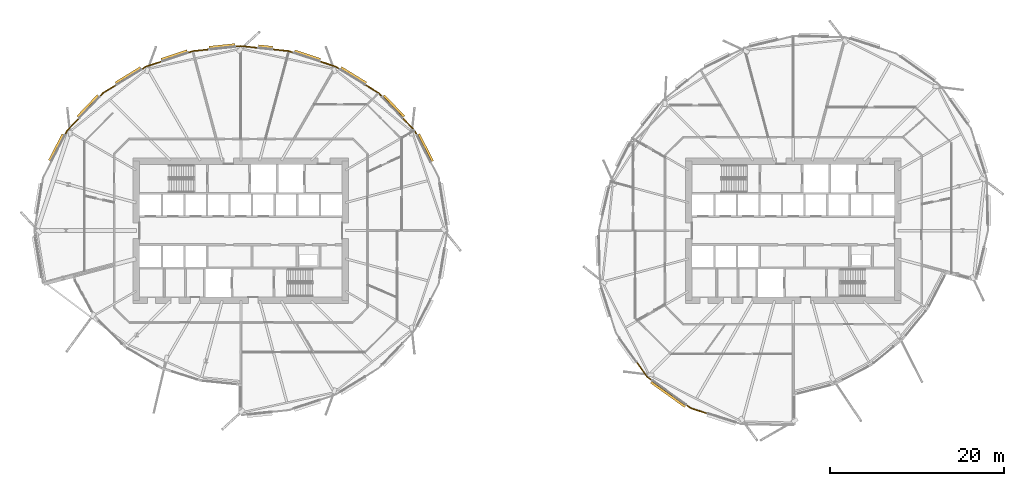
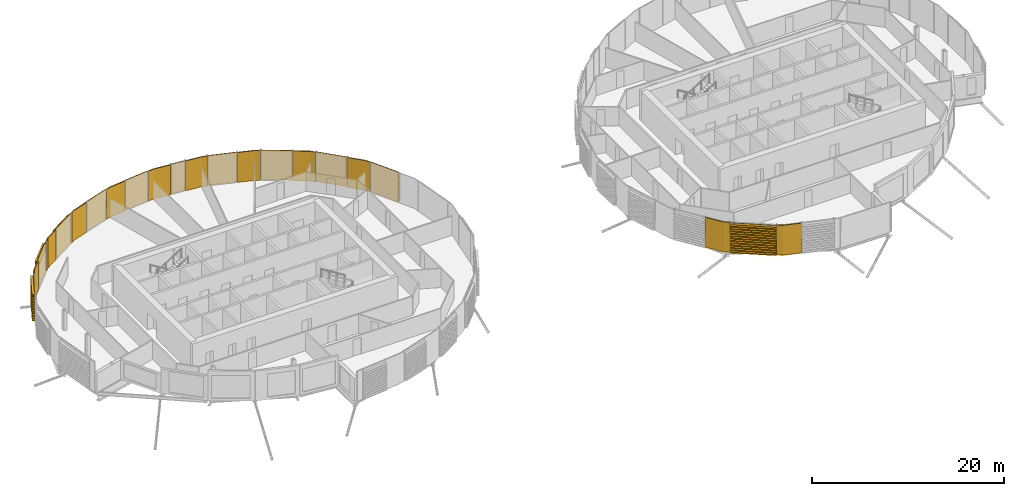
# One storey, part 39 of 42: 22 coverings.
"""IFC4 building model written with IfcOpenShell, lengths in metres."""

from ifc_helpers import new_model, si_unit, direction, frame, origin, place, context, subcontext, project, spatial, polyline, outline, extrude, material, layer, layer_set, material_profile, profile_set, type_object, element, save


model = new_model("IFC4")

# Units and contexts
model_context = context("Model", 3, precision=1e-05, world=origin(), true_north=direction((0.0, 1.0)))
body_context = subcontext(model_context, "Body", "Model", "MODEL_VIEW")
ifc_project = project(units=[si_unit("LENGTHUNIT", "METRE"), si_unit("AREAUNIT", "SQUARE_METRE"), si_unit("VOLUMEUNIT", "CUBIC_METRE"), si_unit("PLANEANGLEUNIT", "RADIAN"), si_unit("MASSUNIT", "GRAM", prefix="KILO")], contexts=[model_context])

# Site, building, storey
site_placement = place(None, origin())
site = spatial("IfcSite", under=ifc_project, at=site_placement, CompositionType="ELEMENT")
building_placement = place(site_placement, origin())
building = spatial("IfcBuilding", under=site, at=building_placement, Name="Rimbun Link Towers", CompositionType="ELEMENT")
storey_placement = place(building_placement, frame((0.0, 0.0, 85.39990234375)))
storey = spatial("IfcBuildingStorey", under=building, at=storey_placement, Name="L20", CompositionType="ELEMENT", Elevation=85.39990234375)

# Coverings
ifc_material_1 = material(Name="Terracotta", Category="masonry")
ifc_layer = layer(ifc_material_1, 0.1201171875)
ifc_layer_set = layer_set([ifc_layer], Name="LINK PIER terracotta cladding 120")
covering_type_1 = type_object("IfcCoveringType", Name="LINK PIER terracotta cladding 120", PredefinedType="CLADDING", material=ifc_layer_set)
covering_1_placement = place(storey_placement, origin())
element("IfcCovering", 1, at=covering_1_placement, inside=storey, type_object=covering_type_1, Name="LINK PIER cladding", PredefinedType="CLADDING", context=body_context, shape_type="SweptSolid", body=[
    extrude(outline(polyline([(-13.172119140625, 12.879150390625), (-11.84326171875, 11.4931640625), (-11.581298828125, 10.98681640625), (-11.474853515625, 11.0419921875), (-11.74462890625, 11.563720703125), (-13.08544921875, 12.962158203125), (-13.172119140625, 12.879150390625)])), origin(), (0.0, 0.0, 1.0), 3.800048828125),
])
covering_2_placement = place(storey_placement, origin())
element("IfcCovering", 2, at=covering_2_placement, inside=storey, type_object=covering_type_1, Name="LINK PIER cladding", PredefinedType="CLADDING", context=body_context, shape_type="SweptSolid", body=[
    extrude(outline(polyline([(-17.469970703125, 16.714599609375), (-15.96142578125, 15.78857421875), (-15.567138671875, 15.376953125), (-15.48046875, 15.460205078125), (-15.885498046875, 15.882568359375), (-17.406982421875, 16.81689453125), (-17.469970703125, 16.714599609375)])), origin(), (0.0, 0.0, 1.0), 3.800048828125),
])
covering_3_placement = place(storey_placement, origin())
element("IfcCovering", 3, at=covering_3_placement, inside=storey, type_object=covering_type_1, Name="LINK PIER cladding", PredefinedType="CLADDING", context=body_context, shape_type="SweptSolid", body=[
    extrude(outline(polyline([(-22.6630859375, 19.401611328125), (-20.88818359375, 18.8134765625), (-20.40234375, 18.51513671875), (-20.339599609375, 18.617431640625), (-20.837158203125, 18.9228515625), (-22.62548828125, 19.515625), (-22.6630859375, 19.401611328125)])), origin(), (0.0, 0.0, 1.0), 3.800048828125),
])
covering_4_placement = place(storey_placement, origin())
element("IfcCovering", 4, at=covering_4_placement, inside=storey, type_object=covering_type_1, Name="LINK PIER cladding", PredefinedType="CLADDING", context=body_context, shape_type="SweptSolid", body=[
    extrude(outline(polyline([(-28.093994140625, 20.781005859375), (-26.234130859375, 20.585205078125), (-25.693115234375, 20.40576171875), (-25.6552734375, 20.519775390625), (-26.208740234375, 20.703125), (-28.081298828125, 20.900390625), (-28.093994140625, 20.781005859375)])), origin(), (0.0, 0.0, 1.0), 3.800048828125),
])
covering_5_placement = place(storey_placement, origin())
element("IfcCovering", 5, at=covering_5_placement, inside=storey, type_object=covering_type_1, Name="LINK PIER cladding", PredefinedType="CLADDING", context=body_context, shape_type="SweptSolid", body=[
    extrude(outline(polyline([(-32.36669921875, 21.10107421875), (-31.75, 21.166015625), (-29.790771484375, 20.959716796875), (-29.7783203125, 21.0791015625), (-31.75, 21.28662109375), (-32.379150390625, 21.220458984375), (-32.36669921875, 21.10107421875)])), origin(), (0.0, 0.0, 1.0), 3.800048828125),
])
covering_6_placement = place(storey_placement, origin())
element("IfcCovering", 6, at=covering_6_placement, inside=storey, type_object=covering_type_1, Name="LINK PIER cladding", PredefinedType="CLADDING", context=body_context, shape_type="SweptSolid", body=[
    extrude(outline(polyline([(-37.806884765625, 20.40576171875), (-37.265869140625, 20.585205078125), (-35.406005859375, 20.781005859375), (-35.418701171875, 20.900390625), (-37.291259765625, 20.703125), (-37.8447265625, 20.519775390625), (-37.806884765625, 20.40576171875)])), origin(), (0.0, 0.0, 1.0), 3.800048828125),
])
covering_7_placement = place(storey_placement, origin())
element("IfcCovering", 7, at=covering_7_placement, inside=storey, type_object=covering_type_1, Name="LINK PIER cladding", PredefinedType="CLADDING", context=body_context, shape_type="SweptSolid", body=[
    extrude(outline(polyline([(-43.09765625, 18.51513671875), (-42.61181640625, 18.8134765625), (-40.8369140625, 19.401611328125), (-40.87451171875, 19.515625), (-42.662841796875, 18.9228515625), (-43.160400390625, 18.617431640625), (-43.09765625, 18.51513671875)])), origin(), (0.0, 0.0, 1.0), 3.800048828125),
])
covering_8_placement = place(storey_placement, origin())
element("IfcCovering", 8, at=covering_8_placement, inside=storey, type_object=covering_type_1, Name="LINK PIER cladding", PredefinedType="CLADDING", context=body_context, shape_type="SweptSolid", body=[
    extrude(outline(polyline([(-47.932861328125, 15.376953125), (-47.53857421875, 15.78857421875), (-46.030029296875, 16.714599609375), (-46.093017578125, 16.81689453125), (-47.614501953125, 15.882568359375), (-48.01953125, 15.460205078125), (-47.932861328125, 15.376953125)])), origin(), (0.0, 0.0, 1.0), 3.800048828125),
])
covering_9_placement = place(storey_placement, origin())
element("IfcCovering", 9, at=covering_9_placement, inside=storey, type_object=covering_type_1, Name="LINK PIER cladding", PredefinedType="CLADDING", context=body_context, shape_type="SweptSolid", body=[
    extrude(outline(polyline([(-51.918701171875, 10.98681640625), (-51.65673828125, 11.4931640625), (-50.327880859375, 12.879150390625), (-50.41455078125, 12.962158203125), (-51.75537109375, 11.563720703125), (-52.025146484375, 11.0419921875), (-51.918701171875, 10.98681640625)])), origin(), (0.0, 0.0, 1.0), 3.800048828125),
])
covering_10_placement = place(storey_placement, origin())
element("IfcCovering", 10, at=covering_10_placement, inside=storey, type_object=covering_type_1, Name="LINK PIER cladding", PredefinedType="CLADDING", context=body_context, shape_type="SweptSolid", body=[
    extrude(outline(polyline([(15.53173828125, -17.1533203125), (14.9873046875, -16.7626953125), (13.780517578125, -15.080810546875), (13.68310546875, -15.150634765625), (14.9013671875, -16.8486328125), (15.4619140625, -17.250732421875), (15.53173828125, -17.1533203125)])), origin(), (0.0, 0.0, 1.0), 3.800048828125),
])
covering_11_placement = place(storey_placement, origin())
element("IfcCovering", 11, at=covering_11_placement, inside=storey, type_object=covering_type_1, Name="LINK PIER cladding", PredefinedType="CLADDING", context=body_context, shape_type="SweptSolid", body=[
    extrude(outline(polyline([(21.874267578125, -20.954345703125), (19.996826171875, -20.357177734375), (19.4931640625, -19.995849609375), (19.423095703125, -20.09326171875), (19.9423828125, -20.4658203125), (21.837890625, -21.068603515625), (21.874267578125, -20.954345703125)])), origin(), (0.0, 0.0, 1.0), 3.800048828125),
])
ifc_material_2 = material(Name="Terracotta", Category="masonry")
ifc_material_profile = material_profile(ifc_material_2, outline(polyline([(0.123046875, 0.0), (0.1630859375, 0.0), (0.1630859375, 0.10009765625), (0.423095703125, 0.10009765625), (0.423095703125, 0.219970703125), (0.1630859375, 0.219970703125), (0.1630859375, 0.39990234375), (0.423095703125, 0.39990234375), (0.423095703125, 0.52001953125), (0.1630859375, 0.52001953125), (0.1630859375, 0.699951171875), (0.423095703125, 0.699951171875), (0.423095703125, 0.820068359375), (0.1630859375, 0.820068359375), (0.1630859375, 1.0), (0.423095703125, 1.0), (0.423095703125, 1.1201171875), (0.1630859375, 1.1201171875), (0.1630859375, 1.300048828125), (0.423095703125, 1.300048828125), (0.423095703125, 1.419921875), (0.1630859375, 1.419921875), (0.1630859375, 1.60009765625), (0.423095703125, 1.60009765625), (0.423095703125, 1.719970703125), (0.1630859375, 1.719970703125), (0.1630859375, 1.89990234375), (0.423095703125, 1.89990234375), (0.423095703125, 2.02001953125), (0.1630859375, 2.02001953125), (0.1630859375, 2.199951171875), (0.423095703125, 2.199951171875), (0.423095703125, 2.320068359375), (0.1630859375, 2.320068359375), (0.1630859375, 2.5), (0.423095703125, 2.5), (0.423095703125, 2.6201171875), (0.1630859375, 2.6201171875), (0.1630859375, 2.800048828125), (0.423095703125, 2.800048828125), (0.423095703125, 2.919921875), (0.1630859375, 2.919921875), (0.1630859375, 3.10009765625), (0.423095703125, 3.10009765625), (0.423095703125, 3.219970703125), (0.1630859375, 3.219970703125), (0.1630859375, 3.39990234375), (0.423095703125, 3.39990234375), (0.423095703125, 3.52001953125), (0.1630859375, 3.52001953125), (0.1630859375, 3.800048828125), (0.123046875, 3.800048828125), (0.123046875, 0.0)])), Name="BAGUETTE 120X300")
ifc_profile_set = profile_set([ifc_material_profile], Name="Terracotta")
covering_type_2 = type_object("IfcCoveringType", Name="TERRACOTTA BAGUETTE 120X300 H3800", PredefinedType="CLADDING", material=ifc_profile_set)
covering_12_placement = place(storey_placement, frame((-11.567626953125, 10.960205078125, 0.0), z_axis=(0.459537083826, -0.888158583018, 0.0), x_axis=(0.888158583018, 0.459537083826, 0.0)))
element("IfcCovering", 12, at=covering_12_placement, inside=storey, type_object=covering_type_2, Name="TERRACOTTA BAGUETTE", PredefinedType="CLADDING", context=body_context, shape_type="SweptSolid", body=[
    extrude(outline(polyline([(0.123046875, 0.0), (0.1630859375, 0.0), (0.1630859375, 0.10009765625), (0.423095703125, 0.10009765625), (0.423095703125, 0.219970703125), (0.1630859375, 0.219970703125), (0.1630859375, 0.39990234375), (0.423095703125, 0.39990234375), (0.423095703125, 0.52001953125), (0.1630859375, 0.52001953125), (0.1630859375, 0.699951171875), (0.423095703125, 0.699951171875), (0.423095703125, 0.820068359375), (0.1630859375, 0.820068359375), (0.1630859375, 1.0), (0.423095703125, 1.0), (0.423095703125, 1.1201171875), (0.1630859375, 1.1201171875), (0.1630859375, 1.300048828125), (0.423095703125, 1.300048828125), (0.423095703125, 1.419921875), (0.1630859375, 1.419921875), (0.1630859375, 1.60009765625), (0.423095703125, 1.60009765625), (0.423095703125, 1.719970703125), (0.1630859375, 1.719970703125), (0.1630859375, 1.89990234375), (0.423095703125, 1.89990234375), (0.423095703125, 2.02001953125), (0.1630859375, 2.02001953125), (0.1630859375, 2.199951171875), (0.423095703125, 2.199951171875), (0.423095703125, 2.320068359375), (0.1630859375, 2.320068359375), (0.1630859375, 2.5), (0.423095703125, 2.5), (0.423095703125, 2.6201171875), (0.1630859375, 2.6201171875), (0.1630859375, 2.800048828125), (0.423095703125, 2.800048828125), (0.423095703125, 2.919921875), (0.1630859375, 2.919921875), (0.1630859375, 3.10009765625), (0.423095703125, 3.10009765625), (0.423095703125, 3.219970703125), (0.1630859375, 3.219970703125), (0.1630859375, 3.39990234375), (0.423095703125, 3.39990234375), (0.423095703125, 3.52001953125), (0.1630859375, 3.52001953125), (0.1630859375, 3.800048828125), (0.123046875, 3.800048828125), (0.123046875, 0.0)])), origin(), (0.0, 0.0, 1.0), 3.490478515625),
])
covering_13_placement = place(storey_placement, frame((-15.546142578125, 15.35546875, 0.0), z_axis=(0.692016066289, -0.721882098406, 0.0), x_axis=(0.721882098406, 0.692016066289, 0.0)))
element("IfcCovering", 13, at=covering_13_placement, inside=storey, type_object=covering_type_2, Name="TERRACOTTA BAGUETTE", PredefinedType="CLADDING", context=body_context, shape_type="SweptSolid", body=[
    extrude(outline(polyline([(0.123046875, 0.0), (0.1630859375, 0.0), (0.1630859375, 0.10009765625), (0.423095703125, 0.10009765625), (0.423095703125, 0.219970703125), (0.1630859375, 0.219970703125), (0.1630859375, 0.39990234375), (0.423095703125, 0.39990234375), (0.423095703125, 0.52001953125), (0.1630859375, 0.52001953125), (0.1630859375, 0.699951171875), (0.423095703125, 0.699951171875), (0.423095703125, 0.820068359375), (0.1630859375, 0.820068359375), (0.1630859375, 1.0), (0.423095703125, 1.0), (0.423095703125, 1.1201171875), (0.1630859375, 1.1201171875), (0.1630859375, 1.300048828125), (0.423095703125, 1.300048828125), (0.423095703125, 1.419921875), (0.1630859375, 1.419921875), (0.1630859375, 1.60009765625), (0.423095703125, 1.60009765625), (0.423095703125, 1.719970703125), (0.1630859375, 1.719970703125), (0.1630859375, 1.89990234375), (0.423095703125, 1.89990234375), (0.423095703125, 2.02001953125), (0.1630859375, 2.02001953125), (0.1630859375, 2.199951171875), (0.423095703125, 2.199951171875), (0.423095703125, 2.320068359375), (0.1630859375, 2.320068359375), (0.1630859375, 2.5), (0.423095703125, 2.5), (0.423095703125, 2.6201171875), (0.1630859375, 2.6201171875), (0.1630859375, 2.800048828125), (0.423095703125, 2.800048828125), (0.423095703125, 2.919921875), (0.1630859375, 2.919921875), (0.1630859375, 3.10009765625), (0.423095703125, 3.10009765625), (0.423095703125, 3.219970703125), (0.1630859375, 3.219970703125), (0.1630859375, 3.39990234375), (0.423095703125, 3.39990234375), (0.423095703125, 3.52001953125), (0.1630859375, 3.52001953125), (0.1630859375, 3.800048828125), (0.123046875, 3.800048828125), (0.123046875, 0.0)])), origin(), (0.0, 0.0, 1.0), 3.400634765625),
])
covering_14_placement = place(storey_placement, frame((-20.376708984375, 18.49951171875, 0.0), z_axis=(0.85216614194, -0.523271312544, 0.0), x_axis=(0.523271312544, 0.85216614194, 0.0)))
element("IfcCovering", 14, at=covering_14_placement, inside=storey, type_object=covering_type_2, Name="TERRACOTTA BAGUETTE", PredefinedType="CLADDING", context=body_context, shape_type="SweptSolid", body=[
    extrude(outline(polyline([(0.123046875, 0.0), (0.1630859375, 0.0), (0.1630859375, 0.10009765625), (0.423095703125, 0.10009765625), (0.423095703125, 0.219970703125), (0.1630859375, 0.219970703125), (0.1630859375, 0.39990234375), (0.423095703125, 0.39990234375), (0.423095703125, 0.52001953125), (0.1630859375, 0.52001953125), (0.1630859375, 0.699951171875), (0.423095703125, 0.699951171875), (0.423095703125, 0.820068359375), (0.1630859375, 0.820068359375), (0.1630859375, 1.0), (0.423095703125, 1.0), (0.423095703125, 1.1201171875), (0.1630859375, 1.1201171875), (0.1630859375, 1.300048828125), (0.423095703125, 1.300048828125), (0.423095703125, 1.419921875), (0.1630859375, 1.419921875), (0.1630859375, 1.60009765625), (0.423095703125, 1.60009765625), (0.423095703125, 1.719970703125), (0.1630859375, 1.719970703125), (0.1630859375, 1.89990234375), (0.423095703125, 1.89990234375), (0.423095703125, 2.02001953125), (0.1630859375, 2.02001953125), (0.1630859375, 2.199951171875), (0.423095703125, 2.199951171875), (0.423095703125, 2.320068359375), (0.1630859375, 2.320068359375), (0.1630859375, 2.5), (0.423095703125, 2.5), (0.423095703125, 2.6201171875), (0.1630859375, 2.6201171875), (0.1630859375, 2.800048828125), (0.423095703125, 2.800048828125), (0.423095703125, 2.919921875), (0.1630859375, 2.919921875), (0.1630859375, 3.10009765625), (0.423095703125, 3.10009765625), (0.423095703125, 3.219970703125), (0.1630859375, 3.219970703125), (0.1630859375, 3.39990234375), (0.423095703125, 3.39990234375), (0.423095703125, 3.52001953125), (0.1630859375, 3.52001953125), (0.1630859375, 3.800048828125), (0.123046875, 3.800048828125), (0.123046875, 0.0)])), origin(), (0.0, 0.0, 1.0), 3.381103515625),
])
covering_15_placement = place(storey_placement, frame((-25.66455078125, 20.396240234375, 0.0), z_axis=(0.949243070926, -0.314543466469, 0.0), x_axis=(0.314543466469, 0.949243070926, 0.0)))
element("IfcCovering", 15, at=covering_15_placement, inside=storey, type_object=covering_type_2, Name="TERRACOTTA BAGUETTE", PredefinedType="CLADDING", context=body_context, shape_type="SweptSolid", body=[
    extrude(outline(polyline([(0.123046875, 0.0), (0.1630859375, 0.0), (0.1630859375, 0.10009765625), (0.423095703125, 0.10009765625), (0.423095703125, 0.219970703125), (0.1630859375, 0.219970703125), (0.1630859375, 0.39990234375), (0.423095703125, 0.39990234375), (0.423095703125, 0.52001953125), (0.1630859375, 0.52001953125), (0.1630859375, 0.699951171875), (0.423095703125, 0.699951171875), (0.423095703125, 0.820068359375), (0.1630859375, 0.820068359375), (0.1630859375, 1.0), (0.423095703125, 1.0), (0.423095703125, 1.1201171875), (0.1630859375, 1.1201171875), (0.1630859375, 1.300048828125), (0.423095703125, 1.300048828125), (0.423095703125, 1.419921875), (0.1630859375, 1.419921875), (0.1630859375, 1.60009765625), (0.423095703125, 1.60009765625), (0.423095703125, 1.719970703125), (0.1630859375, 1.719970703125), (0.1630859375, 1.89990234375), (0.423095703125, 1.89990234375), (0.423095703125, 2.02001953125), (0.1630859375, 2.02001953125), (0.1630859375, 2.199951171875), (0.423095703125, 2.199951171875), (0.423095703125, 2.320068359375), (0.1630859375, 2.320068359375), (0.1630859375, 2.5), (0.423095703125, 2.5), (0.423095703125, 2.6201171875), (0.1630859375, 2.6201171875), (0.1630859375, 2.800048828125), (0.423095703125, 2.800048828125), (0.423095703125, 2.919921875), (0.1630859375, 2.919921875), (0.1630859375, 3.10009765625), (0.423095703125, 3.10009765625), (0.423095703125, 3.219970703125), (0.1630859375, 3.219970703125), (0.1630859375, 3.39990234375), (0.423095703125, 3.39990234375), (0.423095703125, 3.52001953125), (0.1630859375, 3.52001953125), (0.1630859375, 3.800048828125), (0.123046875, 3.800048828125), (0.123046875, 0.0)])), origin(), (0.0, 0.0, 1.0), 3.1318359375),
])
covering_16_placement = place(storey_placement, frame((-29.760986328125, 20.95654296875, 0.0), z_axis=(0.994503827589, -0.10470022402, 0.0), x_axis=(0.10470022402, 0.994503827589, 0.0)))
element("IfcCovering", 16, at=covering_16_placement, inside=storey, type_object=covering_type_2, Name="TERRACOTTA BAGUETTE", PredefinedType="CLADDING", context=body_context, shape_type="SweptSolid", body=[
    extrude(outline(polyline([(0.123046875, 0.0), (0.1630859375, 0.0), (0.1630859375, 0.10009765625), (0.423095703125, 0.10009765625), (0.423095703125, 0.219970703125), (0.1630859375, 0.219970703125), (0.1630859375, 0.39990234375), (0.423095703125, 0.39990234375), (0.423095703125, 0.52001953125), (0.1630859375, 0.52001953125), (0.1630859375, 0.699951171875), (0.423095703125, 0.699951171875), (0.423095703125, 0.820068359375), (0.1630859375, 0.820068359375), (0.1630859375, 1.0), (0.423095703125, 1.0), (0.423095703125, 1.1201171875), (0.1630859375, 1.1201171875), (0.1630859375, 1.300048828125), (0.423095703125, 1.300048828125), (0.423095703125, 1.419921875), (0.1630859375, 1.419921875), (0.1630859375, 1.60009765625), (0.423095703125, 1.60009765625), (0.423095703125, 1.719970703125), (0.1630859375, 1.719970703125), (0.1630859375, 1.89990234375), (0.423095703125, 1.89990234375), (0.423095703125, 2.02001953125), (0.1630859375, 2.02001953125), (0.1630859375, 2.199951171875), (0.423095703125, 2.199951171875), (0.423095703125, 2.320068359375), (0.1630859375, 2.320068359375), (0.1630859375, 2.5), (0.423095703125, 2.5), (0.423095703125, 2.6201171875), (0.1630859375, 2.6201171875), (0.1630859375, 2.800048828125), (0.423095703125, 2.800048828125), (0.423095703125, 2.919921875), (0.1630859375, 2.919921875), (0.1630859375, 3.10009765625), (0.423095703125, 3.10009765625), (0.423095703125, 3.219970703125), (0.1630859375, 3.219970703125), (0.1630859375, 3.39990234375), (0.423095703125, 3.39990234375), (0.423095703125, 3.52001953125), (0.1630859375, 3.52001953125), (0.1630859375, 3.800048828125), (0.123046875, 3.800048828125), (0.123046875, 0.0)])), origin(), (0.0, 0.0, 1.0), 1.646240234375),
])
covering_17_placement = place(storey_placement, frame((-35.376220703125, 20.7841796875, 0.0), z_axis=(0.994503220277, 0.104705992467, 0.0), x_axis=(-0.104705992467, 0.994503220277, 0.0)))
element("IfcCovering", 17, at=covering_17_placement, inside=storey, type_object=covering_type_2, Name="TERRACOTTA BAGUETTE", PredefinedType="CLADDING", context=body_context, shape_type="SweptSolid", body=[
    extrude(outline(polyline([(0.123046875, 0.0), (0.1630859375, 0.0), (0.1630859375, 0.10009765625), (0.423095703125, 0.10009765625), (0.423095703125, 0.219970703125), (0.1630859375, 0.219970703125), (0.1630859375, 0.39990234375), (0.423095703125, 0.39990234375), (0.423095703125, 0.52001953125), (0.1630859375, 0.52001953125), (0.1630859375, 0.699951171875), (0.423095703125, 0.699951171875), (0.423095703125, 0.820068359375), (0.1630859375, 0.820068359375), (0.1630859375, 1.0), (0.423095703125, 1.0), (0.423095703125, 1.1201171875), (0.1630859375, 1.1201171875), (0.1630859375, 1.300048828125), (0.423095703125, 1.300048828125), (0.423095703125, 1.419921875), (0.1630859375, 1.419921875), (0.1630859375, 1.60009765625), (0.423095703125, 1.60009765625), (0.423095703125, 1.719970703125), (0.1630859375, 1.719970703125), (0.1630859375, 1.89990234375), (0.423095703125, 1.89990234375), (0.423095703125, 2.02001953125), (0.1630859375, 2.02001953125), (0.1630859375, 2.199951171875), (0.423095703125, 2.199951171875), (0.423095703125, 2.320068359375), (0.1630859375, 2.320068359375), (0.1630859375, 2.5), (0.423095703125, 2.5), (0.423095703125, 2.6201171875), (0.1630859375, 2.6201171875), (0.1630859375, 2.800048828125), (0.423095703125, 2.800048828125), (0.423095703125, 2.919921875), (0.1630859375, 2.919921875), (0.1630859375, 3.10009765625), (0.423095703125, 3.10009765625), (0.423095703125, 3.219970703125), (0.1630859375, 3.219970703125), (0.1630859375, 3.39990234375), (0.423095703125, 3.39990234375), (0.423095703125, 3.52001953125), (0.1630859375, 3.52001953125), (0.1630859375, 3.800048828125), (0.123046875, 3.800048828125), (0.123046875, 0.0)])), origin(), (0.0, 0.0, 1.0), 2.99609375),
])
covering_18_placement = place(storey_placement, frame((-40.808349609375, 19.4111328125, 0.0), z_axis=(0.949243070926, 0.314543466469, 0.0), x_axis=(-0.314543466469, 0.949243070926, 0.0)))
element("IfcCovering", 18, at=covering_18_placement, inside=storey, type_object=covering_type_2, Name="TERRACOTTA BAGUETTE", PredefinedType="CLADDING", context=body_context, shape_type="SweptSolid", body=[
    extrude(outline(polyline([(0.123046875, 0.0), (0.1630859375, 0.0), (0.1630859375, 0.10009765625), (0.423095703125, 0.10009765625), (0.423095703125, 0.219970703125), (0.1630859375, 0.219970703125), (0.1630859375, 0.39990234375), (0.423095703125, 0.39990234375), (0.423095703125, 0.52001953125), (0.1630859375, 0.52001953125), (0.1630859375, 0.699951171875), (0.423095703125, 0.699951171875), (0.423095703125, 0.820068359375), (0.1630859375, 0.820068359375), (0.1630859375, 1.0), (0.423095703125, 1.0), (0.423095703125, 1.1201171875), (0.1630859375, 1.1201171875), (0.1630859375, 1.300048828125), (0.423095703125, 1.300048828125), (0.423095703125, 1.419921875), (0.1630859375, 1.419921875), (0.1630859375, 1.60009765625), (0.423095703125, 1.60009765625), (0.423095703125, 1.719970703125), (0.1630859375, 1.719970703125), (0.1630859375, 1.89990234375), (0.423095703125, 1.89990234375), (0.423095703125, 2.02001953125), (0.1630859375, 2.02001953125), (0.1630859375, 2.199951171875), (0.423095703125, 2.199951171875), (0.423095703125, 2.320068359375), (0.1630859375, 2.320068359375), (0.1630859375, 2.5), (0.423095703125, 2.5), (0.423095703125, 2.6201171875), (0.1630859375, 2.6201171875), (0.1630859375, 2.800048828125), (0.423095703125, 2.800048828125), (0.423095703125, 2.919921875), (0.1630859375, 2.919921875), (0.1630859375, 3.10009765625), (0.423095703125, 3.10009765625), (0.423095703125, 3.219970703125), (0.1630859375, 3.219970703125), (0.1630859375, 3.39990234375), (0.423095703125, 3.39990234375), (0.423095703125, 3.52001953125), (0.1630859375, 3.52001953125), (0.1630859375, 3.800048828125), (0.123046875, 3.800048828125), (0.123046875, 0.0)])), origin(), (0.0, 0.0, 1.0), 3.1318359375),
])
covering_19_placement = place(storey_placement, frame((-46.004638671875, 16.730224609375, 0.0), z_axis=(0.85216614194, 0.523271312544, 0.0), x_axis=(-0.523271312544, 0.85216614194, 0.0)))
element("IfcCovering", 19, at=covering_19_placement, inside=storey, type_object=covering_type_2, Name="TERRACOTTA BAGUETTE", PredefinedType="CLADDING", context=body_context, shape_type="SweptSolid", body=[
    extrude(outline(polyline([(0.123046875, 0.0), (0.1630859375, 0.0), (0.1630859375, 0.10009765625), (0.423095703125, 0.10009765625), (0.423095703125, 0.219970703125), (0.1630859375, 0.219970703125), (0.1630859375, 0.39990234375), (0.423095703125, 0.39990234375), (0.423095703125, 0.52001953125), (0.1630859375, 0.52001953125), (0.1630859375, 0.699951171875), (0.423095703125, 0.699951171875), (0.423095703125, 0.820068359375), (0.1630859375, 0.820068359375), (0.1630859375, 1.0), (0.423095703125, 1.0), (0.423095703125, 1.1201171875), (0.1630859375, 1.1201171875), (0.1630859375, 1.300048828125), (0.423095703125, 1.300048828125), (0.423095703125, 1.419921875), (0.1630859375, 1.419921875), (0.1630859375, 1.60009765625), (0.423095703125, 1.60009765625), (0.423095703125, 1.719970703125), (0.1630859375, 1.719970703125), (0.1630859375, 1.89990234375), (0.423095703125, 1.89990234375), (0.423095703125, 2.02001953125), (0.1630859375, 2.02001953125), (0.1630859375, 2.199951171875), (0.423095703125, 2.199951171875), (0.423095703125, 2.320068359375), (0.1630859375, 2.320068359375), (0.1630859375, 2.5), (0.423095703125, 2.5), (0.423095703125, 2.6201171875), (0.1630859375, 2.6201171875), (0.1630859375, 2.800048828125), (0.423095703125, 2.800048828125), (0.423095703125, 2.919921875), (0.1630859375, 2.919921875), (0.1630859375, 3.10009765625), (0.423095703125, 3.10009765625), (0.423095703125, 3.219970703125), (0.1630859375, 3.219970703125), (0.1630859375, 3.39990234375), (0.423095703125, 3.39990234375), (0.423095703125, 3.52001953125), (0.1630859375, 3.52001953125), (0.1630859375, 3.800048828125), (0.123046875, 3.800048828125), (0.123046875, 0.0)])), origin(), (0.0, 0.0, 1.0), 3.381103515625),
])
covering_20_placement = place(storey_placement, frame((-50.30712890625, 12.900634765625, 0.0), z_axis=(0.692016066289, 0.721882098406, 0.0), x_axis=(-0.721882098406, 0.692016066289, 0.0)))
element("IfcCovering", 20, at=covering_20_placement, inside=storey, type_object=covering_type_2, Name="TERRACOTTA BAGUETTE", PredefinedType="CLADDING", context=body_context, shape_type="SweptSolid", body=[
    extrude(outline(polyline([(0.123046875, 0.0), (0.1630859375, 0.0), (0.1630859375, 0.10009765625), (0.423095703125, 0.10009765625), (0.423095703125, 0.219970703125), (0.1630859375, 0.219970703125), (0.1630859375, 0.39990234375), (0.423095703125, 0.39990234375), (0.423095703125, 0.52001953125), (0.1630859375, 0.52001953125), (0.1630859375, 0.699951171875), (0.423095703125, 0.699951171875), (0.423095703125, 0.820068359375), (0.1630859375, 0.820068359375), (0.1630859375, 1.0), (0.423095703125, 1.0), (0.423095703125, 1.1201171875), (0.1630859375, 1.1201171875), (0.1630859375, 1.300048828125), (0.423095703125, 1.300048828125), (0.423095703125, 1.419921875), (0.1630859375, 1.419921875), (0.1630859375, 1.60009765625), (0.423095703125, 1.60009765625), (0.423095703125, 1.719970703125), (0.1630859375, 1.719970703125), (0.1630859375, 1.89990234375), (0.423095703125, 1.89990234375), (0.423095703125, 2.02001953125), (0.1630859375, 2.02001953125), (0.1630859375, 2.199951171875), (0.423095703125, 2.199951171875), (0.423095703125, 2.320068359375), (0.1630859375, 2.320068359375), (0.1630859375, 2.5), (0.423095703125, 2.5), (0.423095703125, 2.6201171875), (0.1630859375, 2.6201171875), (0.1630859375, 2.800048828125), (0.423095703125, 2.800048828125), (0.423095703125, 2.919921875), (0.1630859375, 2.919921875), (0.1630859375, 3.10009765625), (0.423095703125, 3.10009765625), (0.423095703125, 3.219970703125), (0.1630859375, 3.219970703125), (0.1630859375, 3.39990234375), (0.423095703125, 3.39990234375), (0.423095703125, 3.52001953125), (0.1630859375, 3.52001953125), (0.1630859375, 3.800048828125), (0.123046875, 3.800048828125), (0.123046875, 0.0)])), origin(), (0.0, 0.0, 1.0), 3.400634765625),
])
covering_21_placement = place(storey_placement, frame((-53.490478515625, 7.948974609375, 0.0), z_axis=(0.459556122061, 0.888148732294, 0.0), x_axis=(-0.888148732294, 0.459556122061, 0.0)))
element("IfcCovering", 21, at=covering_21_placement, inside=storey, type_object=covering_type_2, Name="TERRACOTTA BAGUETTE", PredefinedType="CLADDING", context=body_context, shape_type="SweptSolid", body=[
    extrude(outline(polyline([(0.123046875, 0.0), (0.1630859375, 0.0), (0.1630859375, 0.10009765625), (0.423095703125, 0.10009765625), (0.423095703125, 0.219970703125), (0.1630859375, 0.219970703125), (0.1630859375, 0.39990234375), (0.423095703125, 0.39990234375), (0.423095703125, 0.52001953125), (0.1630859375, 0.52001953125), (0.1630859375, 0.699951171875), (0.423095703125, 0.699951171875), (0.423095703125, 0.820068359375), (0.1630859375, 0.820068359375), (0.1630859375, 1.0), (0.423095703125, 1.0), (0.423095703125, 1.1201171875), (0.1630859375, 1.1201171875), (0.1630859375, 1.300048828125), (0.423095703125, 1.300048828125), (0.423095703125, 1.419921875), (0.1630859375, 1.419921875), (0.1630859375, 1.60009765625), (0.423095703125, 1.60009765625), (0.423095703125, 1.719970703125), (0.1630859375, 1.719970703125), (0.1630859375, 1.89990234375), (0.423095703125, 1.89990234375), (0.423095703125, 2.02001953125), (0.1630859375, 2.02001953125), (0.1630859375, 2.199951171875), (0.423095703125, 2.199951171875), (0.423095703125, 2.320068359375), (0.1630859375, 2.320068359375), (0.1630859375, 2.5), (0.423095703125, 2.5), (0.423095703125, 2.6201171875), (0.1630859375, 2.6201171875), (0.1630859375, 2.800048828125), (0.423095703125, 2.800048828125), (0.423095703125, 2.919921875), (0.1630859375, 2.919921875), (0.1630859375, 3.10009765625), (0.423095703125, 3.10009765625), (0.423095703125, 3.219970703125), (0.1630859375, 3.219970703125), (0.1630859375, 3.39990234375), (0.423095703125, 3.39990234375), (0.423095703125, 3.52001953125), (0.1630859375, 3.52001953125), (0.1630859375, 3.800048828125), (0.123046875, 3.800048828125), (0.123046875, 0.0)])), origin(), (0.0, 0.0, 1.0), 3.390380859375),
])
covering_22_placement = place(storey_placement, frame((19.46875, -19.978271484375, 0.0), z_axis=(-0.812464121007, 0.583011193784, 0.0), x_axis=(-0.583011193784, -0.812464121007, 0.0)))
element("IfcCovering", 22, at=covering_22_placement, inside=storey, type_object=covering_type_2, Name="TERRACOTTA BAGUETTE", PredefinedType="CLADDING", context=body_context, shape_type="SweptSolid", body=[
    extrude(outline(polyline([(0.123046875, 0.0), (0.1630859375, 0.0), (0.1630859375, 0.10009765625), (0.423095703125, 0.10009765625), (0.423095703125, 0.219970703125), (0.1630859375, 0.219970703125), (0.1630859375, 0.39990234375), (0.423095703125, 0.39990234375), (0.423095703125, 0.52001953125), (0.1630859375, 0.52001953125), (0.1630859375, 0.699951171875), (0.423095703125, 0.699951171875), (0.423095703125, 0.820068359375), (0.1630859375, 0.820068359375), (0.1630859375, 1.0), (0.423095703125, 1.0), (0.423095703125, 1.1201171875), (0.1630859375, 1.1201171875), (0.1630859375, 1.300048828125), (0.423095703125, 1.300048828125), (0.423095703125, 1.419921875), (0.1630859375, 1.419921875), (0.1630859375, 1.60009765625), (0.423095703125, 1.60009765625), (0.423095703125, 1.719970703125), (0.1630859375, 1.719970703125), (0.1630859375, 1.89990234375), (0.423095703125, 1.89990234375), (0.423095703125, 2.02001953125), (0.1630859375, 2.02001953125), (0.1630859375, 2.199951171875), (0.423095703125, 2.199951171875), (0.423095703125, 2.320068359375), (0.1630859375, 2.320068359375), (0.1630859375, 2.5), (0.423095703125, 2.5), (0.423095703125, 2.6201171875), (0.1630859375, 2.6201171875), (0.1630859375, 2.800048828125), (0.423095703125, 2.800048828125), (0.423095703125, 2.919921875), (0.1630859375, 2.919921875), (0.1630859375, 3.10009765625), (0.423095703125, 3.10009765625), (0.423095703125, 3.219970703125), (0.1630859375, 3.219970703125), (0.1630859375, 3.39990234375), (0.423095703125, 3.39990234375), (0.423095703125, 3.52001953125), (0.1630859375, 3.52001953125), (0.1630859375, 3.800048828125), (0.123046875, 3.800048828125), (0.123046875, 0.0)])), origin(), (0.0, 0.0, 1.0), 4.815673828125),
])

save(model, "model.ifc")
